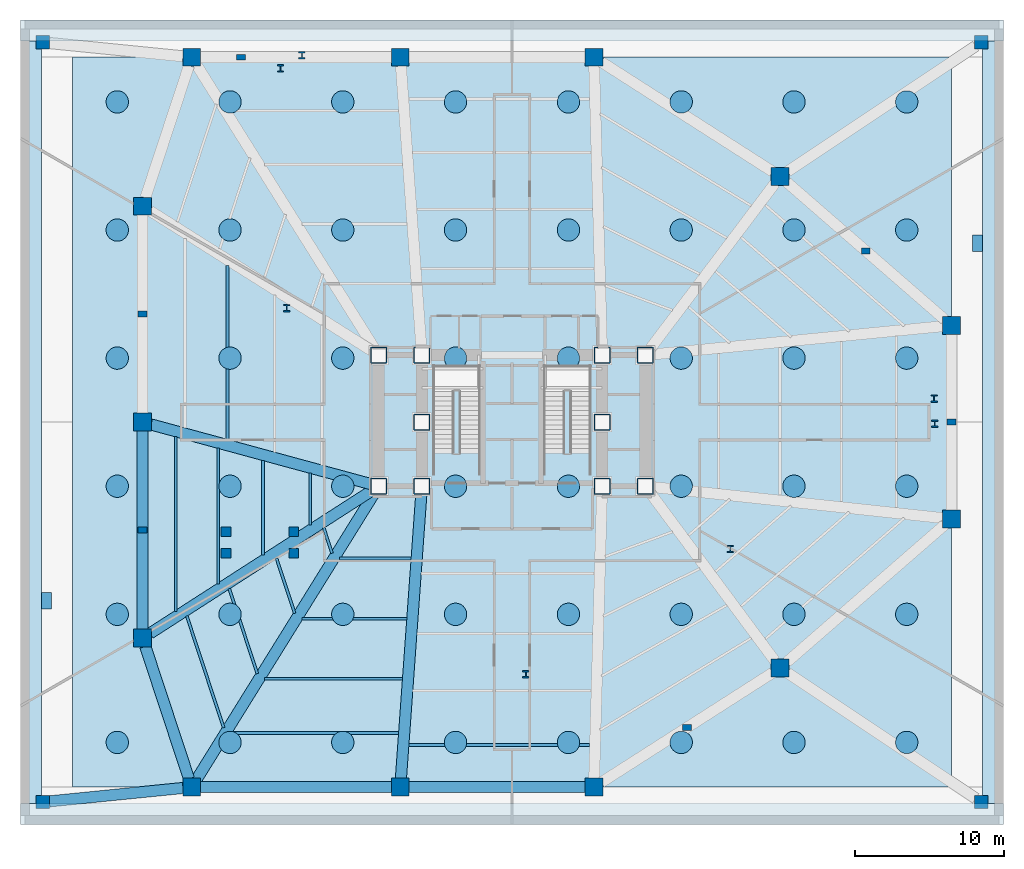
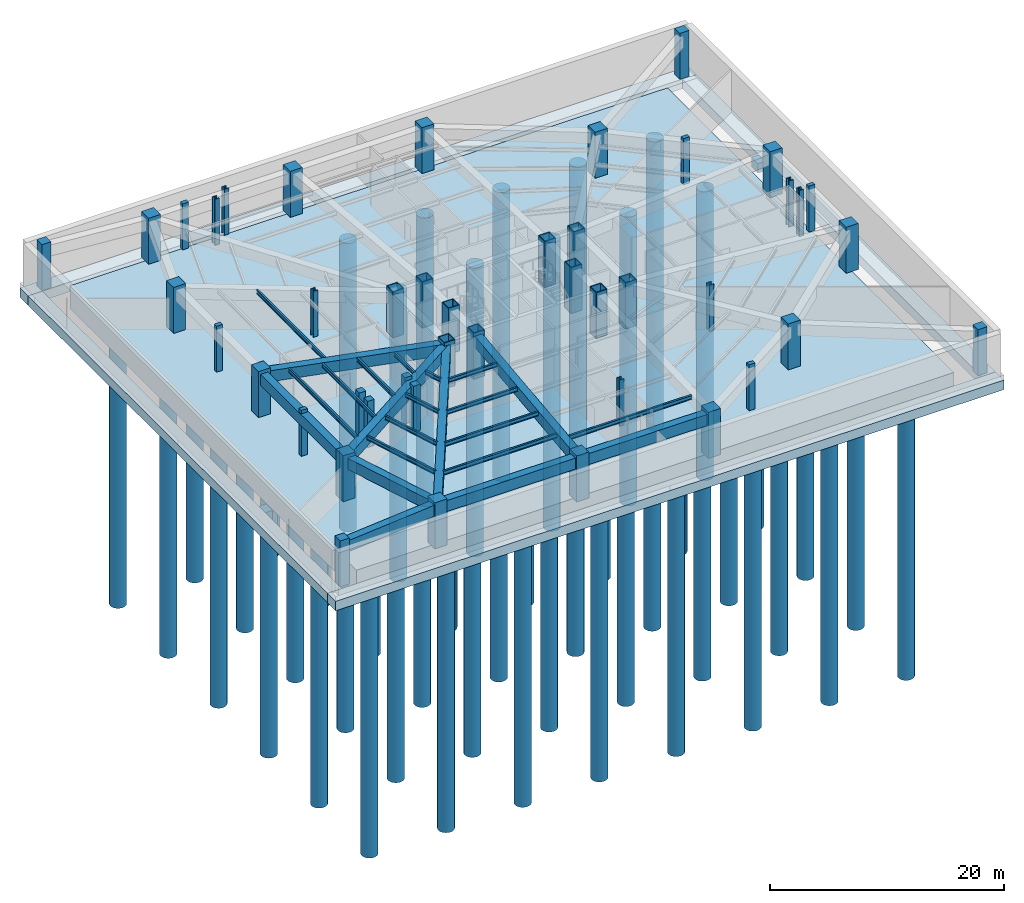
# One storey, part 1 of 7: 48 piles, 44 columns, 23 beams, 7 footings.
"""IFC4 building model written with IfcOpenShell, lengths in metres."""

from ifc_helpers import new_model, si_unit, direction, frame, origin, origin_2d, place, context, subcontext, project, spatial, rectangle, hollow_rectangle, circle, i_section, extrude, material, layer, layer_set, material_profile, profile_set, type_object, element, save


model = new_model("IFC4")

# Units and contexts
model_context = context("Model", 3, precision=1e-05, world=origin(), true_north=direction((0.0, 1.0)))
body_context = subcontext(model_context, "Body", "Model", "MODEL_VIEW")
ifc_project = project(units=[si_unit("LENGTHUNIT", "METRE"), si_unit("AREAUNIT", "SQUARE_METRE"), si_unit("VOLUMEUNIT", "CUBIC_METRE"), si_unit("PLANEANGLEUNIT", "RADIAN"), si_unit("MASSUNIT", "GRAM", prefix="KILO")], contexts=[model_context])

# Site, building, storey
site_placement = place(None, origin())
site = spatial("IfcSite", under=ifc_project, at=site_placement, CompositionType="ELEMENT")
building_placement = place(site_placement, origin())
building = spatial("IfcBuilding", under=site, at=building_placement, Name="Rocaltana Carrier Exchange", CompositionType="ELEMENT")
storey_placement = place(building_placement, frame((0.0, 0.0, -9.60009765625)))
storey = spatial("IfcBuildingStorey", under=building, at=storey_placement, Name="Lower Basement", CompositionType="ELEMENT", Elevation=-9.60009765625)

# Piles
ifc_material_1 = material(Name="Concrete C50/60", Category="concrete")
ifc_material_profile_1 = material_profile(ifc_material_1, circle(Radius=0.75, at=origin_2d()), Name="PILE-D1500")
ifc_profile_set_1 = profile_set([ifc_material_profile_1], Name="Concrete C50/60")
pile_type = type_object("IfcPileType", Name="Bored Concrete Pile D1500", PredefinedType="BORED", material=ifc_profile_set_1)
for number, where, z_axis, x_axis, name in (
    (1, (-26.5, -21.5, -2.25), (0.0, 0.0, -1.0), (1.0, 0.0, 0.0), "Bored Concrete Pile P-01"),
    (2, (-26.5, -12.89990234375, -2.25), (0.0, 0.0, -1.0), (1.0, 0.0, 0.0), "Bored Concrete Pile P-02"),
    (3, (-26.5, -4.300048828125, -2.25), (0.0, 0.0, -1.0), (1.0, 0.0, 0.0), "Bored Concrete Pile P-03"),
    (4, (-26.5, 4.300048828125, -2.25), (0.0, 0.0, -1.0), (1.0, 0.0, 0.0), "Bored Concrete Pile P-04"),
    (5, (-26.5, 12.89990234375, -2.25), (0.0, 0.0, -1.0), (1.0, 0.0, 0.0), "Bored Concrete Pile P-05"),
    (6, (-26.5, 21.5, -2.25), (0.0, 0.0, -1.0), (1.0, 0.0, 0.0), "Bored Concrete Pile P-06"),
    (7, (-18.929931640625, -21.5, -2.25), (0.0, 0.0, -1.0), (1.0, 0.0, 0.0), "Bored Concrete Pile P-07"),
    (8, (-18.929931640625, -12.89990234375, -2.25), (0.0, 0.0, -1.0), (1.0, 0.0, 0.0), "Bored Concrete Pile P-08"),
    (9, (-18.929931640625, -4.300048828125, -2.25), (0.0, 0.0, -1.0), (1.0, 0.0, 0.0), "Bored Concrete Pile P-09"),
    (10, (-18.929931640625, 4.300048828125, -2.25), (0.0, 0.0, -1.0), (1.0, 0.0, 0.0), "Bored Concrete Pile P-10"),
    (11, (-18.929931640625, 12.89990234375, -2.25), (0.0, 0.0, -1.0), (1.0, 0.0, 0.0), "Bored Concrete Pile P-11"),
    (12, (-18.929931640625, 21.5, -2.25), (0.0, 0.0, -1.0), (1.0, 0.0, 0.0), "Bored Concrete Pile P-12"),
    (13, (-11.360107421875, -21.5, -2.25), (0.0, 0.0, -1.0), (1.0, 0.0, 0.0), "Bored Concrete Pile P-13"),
    (14, (-11.360107421875, -12.89990234375, -2.25), (0.0, 0.0, -1.0), (1.0, 0.0, 0.0), "Bored Concrete Pile P-14"),
    (15, (-11.360107421875, -4.300048828125, -2.25), (0.0, 0.0, -1.0), (1.0, 0.0, 0.0), "Bored Concrete Pile P-15"),
    (16, (-11.360107421875, 4.300048828125, -2.25), (0.0, 0.0, -1.0), (1.0, 0.0, 0.0), "Bored Concrete Pile P-16"),
    (17, (-11.360107421875, 12.89990234375, -2.25), (0.0, 0.0, -1.0), (1.0, 0.0, 0.0), "Bored Concrete Pile P-17"),
    (18, (-11.360107421875, 21.5, -2.25), (0.0, 0.0, -1.0), (1.0, 0.0, 0.0), "Bored Concrete Pile P-18"),
    (19, (-3.7900390625, -21.5, -2.25), (0.0, 0.0, -1.0), (1.0, 0.0, 0.0), "Bored Concrete Pile P-19"),
    (20, (-3.7900390625, -12.89990234375, -2.25), (0.0, 0.0, -1.0), (1.0, 0.0, 0.0), "Bored Concrete Pile P-20"),
    (21, (-3.7900390625, -4.300048828125, -2.25), (0.0, 0.0, -1.0), (1.0, 0.0, 0.0), "Bored Concrete Pile P-21"),
    (22, (-3.7900390625, 4.300048828125, -2.25), (0.0, 0.0, -1.0), (1.0, 0.0, 0.0), "Bored Concrete Pile P-22"),
    (23, (-3.7900390625, 12.89990234375, -2.25), (0.0, 0.0, -1.0), (1.0, 0.0, 0.0), "Bored Concrete Pile P-23"),
    (24, (-3.7900390625, 21.5, -2.25), (0.0, 0.0, -1.0), (1.0, 0.0, 0.0), "Bored Concrete Pile P-24"),
    (25, (3.7900390625, -21.5, -2.25), (0.0, 0.0, -1.0), (1.0, 0.0, 0.0), "Bored Concrete Pile P-25"),
    (26, (3.7900390625, -12.89990234375, -2.25), (0.0, 0.0, -1.0), (1.0, 0.0, 0.0), "Bored Concrete Pile P-26"),
    (27, (3.7900390625, -4.300048828125, -2.25), (0.0, 0.0, -1.0), (1.0, 0.0, 0.0), "Bored Concrete Pile P-27"),
    (28, (3.7900390625, 4.300048828125, -2.25), (0.0, 0.0, -1.0), (1.0, 0.0, 0.0), "Bored Concrete Pile P-28"),
    (29, (3.7900390625, 12.89990234375, -2.25), (0.0, 0.0, -1.0), (1.0, 0.0, 0.0), "Bored Concrete Pile P-29"),
    (30, (3.7900390625, 21.5, -2.25), (0.0, 0.0, -1.0), (1.0, 0.0, 0.0), "Bored Concrete Pile P-30"),
    (31, (11.360107421875, -21.5, -2.25), (0.0, 0.0, -1.0), (1.0, 0.0, 0.0), "Bored Concrete Pile P-31"),
    (32, (11.360107421875, -12.89990234375, -2.25), (0.0, 0.0, -1.0), (1.0, 0.0, 0.0), "Bored Concrete Pile P-32"),
    (33, (11.360107421875, -4.300048828125, -2.25), (0.0, 0.0, -1.0), (1.0, 0.0, 0.0), "Bored Concrete Pile P-33"),
    (34, (11.360107421875, 4.300048828125, -2.25), (0.0, 0.0, -1.0), (1.0, 0.0, 0.0), "Bored Concrete Pile P-34"),
    (35, (11.360107421875, 12.89990234375, -2.25), (0.0, 0.0, -1.0), (1.0, 0.0, 0.0), "Bored Concrete Pile P-35"),
    (36, (11.360107421875, 21.5, -2.25), (0.0, 0.0, -1.0), (1.0, 0.0, 0.0), "Bored Concrete Pile P-36"),
    (37, (18.929931640625, -21.5, -2.25), (0.0, 0.0, -1.0), (1.0, 0.0, 0.0), "Bored Concrete Pile P-37"),
    (38, (18.929931640625, -12.89990234375, -2.25), (0.0, 0.0, -1.0), (1.0, 0.0, 0.0), "Bored Concrete Pile P-38"),
    (39, (18.929931640625, -4.300048828125, -2.25), (0.0, 0.0, -1.0), (1.0, 0.0, 0.0), "Bored Concrete Pile P-39"),
    (40, (18.929931640625, 4.300048828125, -2.25), (0.0, 0.0, -1.0), (1.0, 0.0, 0.0), "Bored Concrete Pile P-40"),
    (41, (18.929931640625, 12.89990234375, -2.25), (0.0, 0.0, -1.0), (1.0, 0.0, 0.0), "Bored Concrete Pile P-41"),
    (42, (18.929931640625, 21.5, -2.25), (0.0, 0.0, -1.0), (1.0, 0.0, 0.0), "Bored Concrete Pile P-42"),
    (43, (26.5, -21.5, -2.25), (0.0, 0.0, -1.0), (1.0, 0.0, 0.0), "Bored Concrete Pile P-43"),
    (44, (26.5, -12.89990234375, -2.25), (0.0, 0.0, -1.0), (1.0, 0.0, 0.0), "Bored Concrete Pile P-44"),
    (45, (26.5, -4.300048828125, -2.25), (0.0, 0.0, -1.0), (1.0, 0.0, 0.0), "Bored Concrete Pile P-45"),
    (46, (26.5, 4.300048828125, -2.25), (0.0, 0.0, -1.0), (1.0, 0.0, 0.0), "Bored Concrete Pile P-46"),
    (47, (26.5, 12.89990234375, -2.25), (0.0, 0.0, -1.0), (1.0, 0.0, 0.0), "Bored Concrete Pile P-47"),
    (48, (26.5, 21.5, -2.25), (0.0, 0.0, -1.0), (1.0, 0.0, 0.0), "Bored Concrete Pile P-48"),
):
    element("IfcPile", number, at=place(storey_placement, frame(where, z_axis=z_axis, x_axis=x_axis)), inside=storey, type_object=pile_type, Name=name, PredefinedType="BORED", context=body_context, shape_type="SweptSolid", body=[
        extrude(circle(Radius=0.75, at=origin_2d()), origin(), (0.0, 0.0, 1.0), 30.14990234375),
    ])

# Footings
ifc_material_2 = material(Name="Concrete C50/60", Category="concrete")
footing_type_1 = type_object("IfcFootingType", Name="Internal Strip Footing 1100x1000", PredefinedType="STRIP_FOOTING", material=ifc_material_2)
for number, where, z_axis, x_axis, name in (
    (49, (-31.25, -12.0, -1.5), (0.0, 0.0, 1.0), (1.0, 0.0, 0.0), "FT-SF-M1"),
    (50, (31.25, 12.0, -1.5), (0.0, 0.0, 1.0), (1.0, 0.0, 0.0), "FT-SF-M2"),
):
    element("IfcFooting", number, at=place(storey_placement, frame(where, z_axis=z_axis, x_axis=x_axis)), inside=storey, type_object=footing_type_1, Name=name, PredefinedType="STRIP_FOOTING", context=body_context, shape_type="SweptSolid", body=[
        extrude(rectangle(XDim=0.699951171875, YDim=1.10009765625, at=origin_2d()), origin(), (0.0, 0.0, 1.0), 1.0),
    ])
ifc_material_3 = material(Name="Concrete C50/60", Category="concrete")
footing_type_2 = type_object("IfcFootingType", Name="Perimeter Strip Footing 1400x1000", PredefinedType="STRIP_FOOTING", material=ifc_material_3)
for number, where, z_axis, x_axis, name in (
    (51, (0.0, -26.300048828125, -1.5), (0.0, 0.0, 1.0), (1.0, 0.0, 0.0), "FT-SF-S"),
    (52, (0.0, 26.300048828125, -1.5), (0.0, 0.0, 1.0), (1.0, 0.0, 0.0), "FT-SF-N"),
):
    element("IfcFooting", number, at=place(storey_placement, frame(where, z_axis=z_axis, x_axis=x_axis)), inside=storey, type_object=footing_type_2, Name=name, PredefinedType="STRIP_FOOTING", context=body_context, shape_type="SweptSolid", body=[
        extrude(rectangle(XDim=66.0, YDim=1.39990234375, at=origin_2d()), origin(), (0.0, 0.0, 1.0), 1.0),
    ])
for number, where, z_axis, x_axis, name in (
    (53, (-32.300048828125, 0.0, -1.5), (0.0, 0.0, 1.0), (1.0, 0.0, 0.0), "FT-SF-W"),
    (54, (32.300048828125, 0.0, -1.5), (0.0, 0.0, 1.0), (1.0, 0.0, 0.0), "FT-SF-E"),
):
    element("IfcFooting", number, at=place(storey_placement, frame(where, z_axis=z_axis, x_axis=x_axis)), inside=storey, type_object=footing_type_2, Name=name, PredefinedType="STRIP_FOOTING", context=body_context, shape_type="SweptSolid", body=[
        extrude(rectangle(XDim=1.39990234375, YDim=51.199951171875, at=origin_2d()), origin(), (0.0, 0.0, 1.0), 1.0),
    ])
ifc_material_4 = material(Name="Concrete C50/60", Category="concrete")
ifc_layer = layer(ifc_material_4, 2.39990234375)
ifc_layer_set = layer_set([ifc_layer], Name="Concrete C50/60")
footing_type_3 = type_object("IfcFootingType", Name="Piled Foundation Raft 2400", PredefinedType="PILE_CAP", material=ifc_layer_set)
footing_placement = place(storey_placement, frame((0.0, 0.0, -2.39990234375), z_axis=(0.0, 0.0, 1.0), x_axis=(1.0, 0.0, 0.0)))
element("IfcFooting", 55, at=footing_placement, inside=storey, type_object=footing_type_3, Name="Central Piled Foundation Raft FT-RAFT", PredefinedType="PILE_CAP", context=body_context, shape_type="SweptSolid", body=[
    extrude(rectangle(XDim=59.0, YDim=49.0, at=origin_2d()), origin(), (0.0, 0.0, 1.0), 2.39990234375),
])

# Columns
ifc_material_5 = material(Name="Concrete C50/60", Category="concrete")
ifc_material_profile_2 = material_profile(ifc_material_5, rectangle(XDim=0.89990234375, YDim=0.89990234375, at=origin_2d()), Name="RC-COL-900X900")
ifc_profile_set_2 = profile_set([ifc_material_profile_2], Name="Concrete C50/60")
column_type_1 = type_object("IfcColumnType", Name="Basement RC Column 900", PredefinedType="COLUMN", material=ifc_profile_set_2)
for number, where, z_axis, x_axis, name in (
    (56, (-31.5, -25.5, 0.0), (0.0, 0.0, 1.0), (1.0, 0.0, 0.0), "Lower Basement Basement Column BC01"),
    (57, (31.5, -25.5, 0.0), (0.0, 0.0, 1.0), (1.0, 0.0, 0.0), "Lower Basement Basement Column BC02"),
    (58, (31.5, 25.5, 0.0), (0.0, 0.0, 1.0), (1.0, 0.0, 0.0), "Lower Basement Basement Column BC03"),
    (59, (-31.5, 25.5, 0.0), (0.0, 0.0, 1.0), (1.0, 0.0, 0.0), "Lower Basement Basement Column BC04"),
):
    element("IfcColumn", number, at=place(storey_placement, frame(where, z_axis=z_axis, x_axis=x_axis)), inside=storey, type_object=column_type_1, Name=name, PredefinedType="COLUMN", context=body_context, shape_type="SweptSolid", body=[
        extrude(rectangle(XDim=0.89990234375, YDim=0.89990234375, at=origin_2d()), origin(), (0.0, 0.0, 1.0), 4.800048828125),
    ])
ifc_material_6 = material(Name="Concrete C60/75", Category="concrete")
ifc_material_profile_3 = material_profile(ifc_material_6, rectangle(XDim=0.60009765625, YDim=0.39990234375, at=origin_2d()), Name="RC-PIL-600X400")
ifc_profile_set_3 = profile_set([ifc_material_profile_3], Name="Concrete C60/75")
column_type_2 = type_object("IfcColumnType", Name="Concourse Boundary Pilaster 600x400", PredefinedType="PILASTER", material=ifc_profile_set_3)
for number, where, z_axis, x_axis, name in (
    (60, (11.75, -20.5, 0.0), (0.0, 0.0, 1.0), (1.0, 0.0, 0.0), "Lower Basement Concourse Pilaster PL01"),
    (61, (29.5, 0.0, 0.0), (0.0, 0.0, 1.0), (1.0, 0.0, 0.0), "Lower Basement Concourse Pilaster PL02"),
    (62, (-18.199951171875, 24.5, 0.0), (0.0, 0.0, 1.0), (1.0, 0.0, 0.0), "Lower Basement Concourse Pilaster PL03"),
    (63, (23.75, 11.5, 0.0), (0.0, 0.0, 1.0), (1.0, 0.0, 0.0), "Lower Basement Concourse Pilaster PL04"),
    (64, (-24.800048828125, 7.25, 0.0), (0.0, 0.0, 1.0), (1.0, 0.0, 0.0), "Lower Basement Concourse Pilaster PL05"),
    (65, (-24.800048828125, -7.25, 0.0), (0.0, 0.0, 1.0), (1.0, 0.0, 0.0), "Lower Basement Concourse Pilaster PL06"),
):
    element("IfcColumn", number, at=place(storey_placement, frame(where, z_axis=z_axis, x_axis=x_axis)), inside=storey, type_object=column_type_2, Name=name, PredefinedType="PILASTER", context=body_context, shape_type="SweptSolid", body=[
        extrude(rectangle(XDim=0.60009765625, YDim=0.39990234375, at=origin_2d()), origin(), (0.0, 0.0, 1.0), 4.800048828125),
    ])
ifc_material_7 = material(Name="Steel S460", Category="steel")
ifc_material_profile_4 = material_profile(ifc_material_7, hollow_rectangle(XDim=1.10009765625, YDim=1.10009765625, WallThickness=0.070068359375, InnerFilletRadius=0.02001953125, OuterFilletRadius=0.0400390625, at=origin_2d()), Name="BOX1100X1100X70")
ifc_profile_set_4 = profile_set([ifc_material_profile_4], Name="Steel S460")
column_type_3 = type_object("IfcColumnType", Name="Core Mega-Column BOX1100", PredefinedType="COLUMN", material=ifc_profile_set_4)
for number, where, z_axis, x_axis, name in (
    (66, (-6.050048828125, 4.5, 0.0), (0.0, 0.0, 1.0), (1.0, 0.0, 0.0), "Lower Basement Core Mega-Column MC1"),
    (67, (6.050048828125, 4.5, 0.0), (0.0, 0.0, 1.0), (1.0, 0.0, 0.0), "Lower Basement Core Mega-Column MC2"),
    (68, (-6.050048828125, 0.0, 0.0), (0.0, 0.0, 1.0), (1.0, 0.0, 0.0), "Lower Basement Core Mega-Column MC3"),
    (69, (6.050048828125, 0.0, 0.0), (0.0, 0.0, 1.0), (1.0, 0.0, 0.0), "Lower Basement Core Mega-Column MC4"),
    (70, (-6.050048828125, -4.300048828125, 0.0), (0.0, 0.0, 1.0), (1.0, 0.0, 0.0), "Lower Basement Core Mega-Column MC5"),
    (71, (6.050048828125, -4.300048828125, 0.0), (0.0, 0.0, 1.0), (1.0, 0.0, 0.0), "Lower Basement Core Mega-Column MC6"),
    (72, (-8.949951171875, 4.5, 0.0), (0.0, 0.0, 1.0), (1.0, 0.0, 0.0), "Lower Basement West Core Column WC1"),
    (73, (-8.949951171875, -4.300048828125, 0.0), (0.0, 0.0, 1.0), (1.0, 0.0, 0.0), "Lower Basement West Core Column WC2"),
    (74, (8.949951171875, 4.5, 0.0), (0.0, 0.0, 1.0), (1.0, 0.0, 0.0), "Lower Basement East Core Column EC1"),
    (75, (8.949951171875, -4.300048828125, 0.0), (0.0, 0.0, 1.0), (1.0, 0.0, 0.0), "Lower Basement East Core Column EC2"),
):
    element("IfcColumn", number, at=place(storey_placement, frame(where, z_axis=z_axis, x_axis=x_axis)), inside=storey, type_object=column_type_3, Name=name, PredefinedType="COLUMN", context=body_context, shape_type="SweptSolid", body=[
        extrude(hollow_rectangle(XDim=1.10009765625, YDim=1.10009765625, WallThickness=0.070068359375, InnerFilletRadius=0.02001953125, OuterFilletRadius=0.0400390625, at=origin_2d()), origin(), (0.0, 0.0, 1.0), 4.800048828125),
    ])
ifc_material_8 = material(Name="Steel S460", Category="steel")
ifc_material_profile_5 = material_profile(ifc_material_8, i_section(OverallWidth=0.431884765625, OverallDepth=0.498046875, WebThickness=0.0556640625, FlangeThickness=0.0888671875, FilletRadius=0.02490234375, at=origin_2d()), Name="W14X500")
ifc_profile_set_5 = profile_set([ifc_material_profile_5], Name="Steel S460")
column_type_4 = type_object("IfcColumnType", Name="Perimeter Column W14X500", PredefinedType="COLUMN", material=ifc_profile_set_5)
for number, where, z_axis, x_axis, name in (
    (76, (28.340576171875, 1.5849609375, 0.0), (0.0, 0.0, 1.0), (1.0, 0.0, 0.0), "Lower Basement Podium Tower Mega-Column PT01"),
    (77, (-14.106201171875, 24.631591796875, 0.0), (0.0, 0.0, 1.0), (1.0, 0.0, 0.0), "Lower Basement Podium Tower Mega-Column PT04"),
    (78, (-15.54296875, 23.751220703125, 0.0), (0.0, 0.0, 1.0), (1.0, 0.0, 0.0), "Lower Basement Podium Tower Mega-Column PT05"),
    (79, (-15.121337890625, 7.65673828125, 0.0), (0.0, 0.0, 1.0), (1.0, 0.0, 0.0), "Lower Basement Podium Tower Mega-Column PT06"),
    (80, (0.9296875, -16.923828125, 0.0), (0.0, 0.0, 1.0), (1.0, 0.0, 0.0), "Lower Basement Podium Tower Mega-Column PT10"),
    (81, (14.6572265625, -8.51171875, 0.0), (0.0, 0.0, 1.0), (1.0, 0.0, 0.0), "Lower Basement Podium Tower Mega-Column PT11"),
    (82, (28.384765625, -0.099609375, 0.0), (0.0, 0.0, 1.0), (1.0, 0.0, 0.0), "Lower Basement Podium Tower Mega-Column PT12"),
):
    element("IfcColumn", number, at=place(storey_placement, frame(where, z_axis=z_axis, x_axis=x_axis)), inside=storey, type_object=column_type_4, Name=name, PredefinedType="COLUMN", context=body_context, shape_type="SweptSolid", body=[
        extrude(i_section(OverallWidth=0.431884765625, OverallDepth=0.498046875, WebThickness=0.0556640625, FlangeThickness=0.0888671875, FilletRadius=0.02490234375, at=origin_2d()), origin(), (0.0, 0.0, 1.0), 4.800048828125),
    ])
ifc_material_9 = material(Name="Concrete C60/75", Category="concrete")
ifc_material_profile_6 = material_profile(ifc_material_9, rectangle(XDim=1.199951171875, YDim=1.199951171875, at=origin_2d()), Name="RC-COL-1200X1200")
ifc_profile_set_6 = profile_set([ifc_material_profile_6], Name="Concrete C60/75")
column_type_5 = type_object("IfcColumnType", Name="Podium RC Column 1200", PredefinedType="COLUMN", material=ifc_profile_set_6)
for number, where, z_axis, x_axis, name in (
    (83, (-21.5, -24.5, 0.0), (0.0, 0.0, 1.0), (1.0, 0.0, 0.0), "Lower Basement Podium Mega-Column PC01"),
    (84, (-7.5, -24.5, 0.0), (0.0, 0.0, 1.0), (1.0, 0.0, 0.0), "Lower Basement Podium Mega-Column PC02"),
    (85, (5.5, -24.5, 0.0), (0.0, 0.0, 1.0), (1.0, 0.0, 0.0), "Lower Basement Podium Mega-Column PC03"),
    (86, (18.0, -16.5, 0.0), (0.0, 0.0, 1.0), (1.0, 0.0, 0.0), "Lower Basement Podium Mega-Column PC04"),
    (87, (29.5, -6.5, 0.0), (0.0, 0.0, 1.0), (1.0, 0.0, 0.0), "Lower Basement Podium Mega-Column PC05"),
    (88, (29.5, 6.5, 0.0), (0.0, 0.0, 1.0), (1.0, 0.0, 0.0), "Lower Basement Podium Mega-Column PC06"),
    (89, (18.0, 16.5, 0.0), (0.0, 0.0, 1.0), (1.0, 0.0, 0.0), "Lower Basement Podium Mega-Column PC07"),
    (90, (5.5, 24.5, 0.0), (0.0, 0.0, 1.0), (1.0, 0.0, 0.0), "Lower Basement Podium Mega-Column PC08"),
    (91, (-7.5, 24.5, 0.0), (0.0, 0.0, 1.0), (1.0, 0.0, 0.0), "Lower Basement Podium Mega-Column PC09"),
    (92, (-21.5, 24.5, 0.0), (0.0, 0.0, 1.0), (1.0, 0.0, 0.0), "Lower Basement Podium Mega-Column PC10"),
    (93, (-24.800048828125, 14.5, 0.0), (0.0, 0.0, 1.0), (1.0, 0.0, 0.0), "Lower Basement Podium Mega-Column PC11"),
    (94, (-24.800048828125, 0.0, 0.0), (0.0, 0.0, 1.0), (1.0, 0.0, 0.0), "Lower Basement Podium Mega-Column PC13"),
    (95, (-24.800048828125, -14.5, 0.0), (0.0, 0.0, 1.0), (1.0, 0.0, 0.0), "Lower Basement Podium Mega-Column PC12"),
):
    element("IfcColumn", number, at=place(storey_placement, frame(where, z_axis=z_axis, x_axis=x_axis)), inside=storey, type_object=column_type_5, Name=name, PredefinedType="COLUMN", context=body_context, shape_type="SweptSolid", body=[
        extrude(rectangle(XDim=1.199951171875, YDim=1.199951171875, at=origin_2d()), origin(), (0.0, 0.0, 1.0), 4.800048828125),
    ])
ifc_material_10 = material(Name="Concrete C50/60", Category="concrete")
ifc_material_profile_7 = material_profile(ifc_material_10, rectangle(XDim=0.64990234375, YDim=0.64990234375, at=origin_2d()), Name="RC-COL-650X650")
ifc_profile_set_7 = profile_set([ifc_material_profile_7], Name="Concrete C50/60")
column_type_6 = type_object("IfcColumnType", Name="Stair Shaft RC Column 650", PredefinedType="COLUMN", material=ifc_profile_set_7)
for number, where, z_axis, x_axis, name in (
    (96, (-19.199951171875, -8.800048828125, 0.0), (0.0, 0.0, 1.0), (1.0, 0.0, 0.0), "Lower Basement Stair Shaft Column SC3A"),
    (97, (-14.64990234375, -8.800048828125, 0.0), (0.0, 0.0, 1.0), (1.0, 0.0, 0.0), "Lower Basement Stair Shaft Column SC3B"),
    (98, (-19.199951171875, -7.35009765625, 0.0), (0.0, 0.0, 1.0), (1.0, 0.0, 0.0), "Lower Basement Stair Shaft Column SC3C"),
    (99, (-14.64990234375, -7.35009765625, 0.0), (0.0, 0.0, 1.0), (1.0, 0.0, 0.0), "Lower Basement Stair Shaft Column SC3D"),
):
    element("IfcColumn", number, at=place(storey_placement, frame(where, z_axis=z_axis, x_axis=x_axis)), inside=storey, type_object=column_type_6, Name=name, PredefinedType="COLUMN", context=body_context, shape_type="SweptSolid", body=[
        extrude(rectangle(XDim=0.64990234375, YDim=0.64990234375, at=origin_2d()), origin(), (0.0, 0.0, 1.0), 4.800048828125),
    ])

# Beams
ifc_material_11 = material(Name="Concrete C50/60", Category="concrete")
ifc_material_profile_8 = material_profile(ifc_material_11, rectangle(XDim=0.75, YDim=1.14990234375, at=origin_2d()), Name="RC-BM-750X1150")
ifc_profile_set_8 = profile_set([ifc_material_profile_8], Name="Concrete C50/60")
beam_type_1 = type_object("IfcBeamType", Name="Basement RC Girder 750x1150", PredefinedType="BEAM", material=ifc_profile_set_8)
beam_1_placement = place(storey_placement, frame((-20.907958984375, -24.5, 3.873046875), z_axis=(1.0, 0.0, 0.0), x_axis=(0.0, 1.0, 0.0)))
element("IfcBeam", 100, at=beam_1_placement, inside=storey, type_object=beam_type_1, Name="BM-PODR-01-Lower_Basement", PredefinedType="BEAM", context=body_context, shape_type="SweptSolid", body=[
    extrude(rectangle(XDim=0.75, YDim=1.14990234375, at=origin_2d()), origin(), (0.0, 0.0, 1.0), 12.81591796875),
])
beam_2_placement = place(storey_placement, frame((-6.907958984375, -24.5, 3.873046875), z_axis=(1.0, 0.0, 0.0), x_axis=(0.0, 1.0, 0.0)))
element("IfcBeam", 101, at=beam_2_placement, inside=storey, type_object=beam_type_1, Name="BM-PODR-02-Lower_Basement", PredefinedType="BEAM", context=body_context, shape_type="SweptSolid", body=[
    extrude(rectangle(XDim=0.75, YDim=1.14990234375, at=origin_2d()), origin(), (0.0, 0.0, 1.0), 11.81591796875),
])
beam_3_placement = place(storey_placement, frame((-24.800048828125, -0.592041015625, 3.873046875), z_axis=(0.0, -1.0, 0.0), x_axis=(1.0, 0.0, 0.0)))
element("IfcBeam", 102, at=beam_3_placement, inside=storey, type_object=beam_type_1, Name="BM-PODR-12-Lower_Basement", PredefinedType="BEAM", context=body_context, shape_type="SweptSolid", body=[
    extrude(rectangle(XDim=0.75, YDim=1.14990234375, at=origin_2d()), origin(), (0.0, 0.0, 1.0), 13.31591796875),
])
beam_4_placement = place(storey_placement, frame((-24.614501953125, -15.062255859375, 3.873046875), z_axis=(0.313381694349, -0.949627249844, 0.0), x_axis=(0.949627249844, 0.313381694349, 0.0)))
element("IfcBeam", 103, at=beam_4_placement, inside=storey, type_object=beam_type_1, Name="BM-PODR-13-Lower_Basement", PredefinedType="BEAM", context=body_context, shape_type="SweptSolid", body=[
    extrude(rectangle(XDim=0.75, YDim=1.14990234375, at=origin_2d()), origin(), (0.0, 0.0, 1.0), 9.34619140625),
])
beam_5_placement = place(storey_placement, frame((-9.236083984375, -4.760498046875, 3.873046875), z_axis=(-0.527728575454, -0.849413062443, 0.0), x_axis=(0.849413062443, -0.527728575454, 0.0)))
element("IfcBeam", 104, at=beam_5_placement, inside=storey, type_object=beam_type_1, Name="BM-PODG-01-Lower_Basement", PredefinedType="BEAM", context=body_context, shape_type="SweptSolid", body=[
    extrude(rectangle(XDim=0.75, YDim=1.14990234375, at=origin_2d()), origin(), (0.0, 0.0, 1.0), 22.64697265625),
])
beam_6_placement = place(storey_placement, frame((-6.0888671875, -4.840576171875, 3.873046875), z_axis=(-0.071590092628, -0.997434137494, 0.0), x_axis=(0.997434137494, -0.071590092628, 0.0)))
element("IfcBeam", 105, at=beam_6_placement, inside=storey, type_object=beam_type_1, Name="BM-PODG-02-Lower_Basement", PredefinedType="BEAM", context=body_context, shape_type="SweptSolid", body=[
    extrude(rectangle(XDim=0.75, YDim=1.14990234375, at=origin_2d()), origin(), (0.0, 0.0, 1.0), 19.117919921875),
])
beam_7_placement = place(storey_placement, frame((-9.47314453125, -4.158203125, 3.873046875), z_axis=(-0.965113043387, 0.261833560655, 0.0), x_axis=(-0.261833560655, -0.965113043387, 0.0)))
element("IfcBeam", 106, at=beam_7_placement, inside=storey, type_object=beam_type_1, Name="BM-PODG-12-Lower_Basement", PredefinedType="BEAM", context=body_context, shape_type="SweptSolid", body=[
    extrude(rectangle(XDim=0.75, YDim=1.14990234375, at=origin_2d()), origin(), (0.0, 0.0, 1.0), 15.2890625),
])
beam_8_placement = place(storey_placement, frame((-9.40576171875, -4.59326171875, 3.873046875), z_axis=(-0.840918660991, -0.541161533737, 0.0), x_axis=(0.541161533737, -0.840918660991, 0.0)))
element("IfcBeam", 107, at=beam_8_placement, inside=storey, type_object=beam_type_1, Name="BM-PODG-13-Lower_Basement", PredefinedType="BEAM", context=body_context, shape_type="SweptSolid", body=[
    extrude(rectangle(XDim=0.75, YDim=1.14990234375, at=origin_2d()), origin(), (0.0, 0.0, 1.0), 17.714599609375),
])
beam_9_placement = place(storey_placement, frame((-22.089111328125, -24.558837890625, 3.873046875), z_axis=(-0.995036117726, -0.099514443277, 0.0), x_axis=(0.099514443277, -0.995036117726, 0.0)))
element("IfcBeam", 108, at=beam_9_placement, inside=storey, type_object=beam_type_1, Name="BM-BSUB-1-Lower_Basement", PredefinedType="BEAM", context=body_context, shape_type="SweptSolid", body=[
    extrude(rectangle(XDim=0.75, YDim=1.14990234375, at=origin_2d()), origin(), (0.0, 0.0, 1.0), 9.015869140625),
])
ifc_material_12 = material(Name="Steel S355", Category="steel")
ifc_material_profile_9 = material_profile(ifc_material_12, i_section(OverallWidth=0.179931640625, OverallDepth=0.4130859375, WebThickness=0.009765625, FlangeThickness=0.01611328125, FilletRadius=0.012939453125, at=origin_2d()), Name="W16X50")
ifc_profile_set_9 = profile_set([ifc_material_profile_9], Name="Steel S355")
beam_type_2 = type_object("IfcBeamType", Name="Floor Joist W16X50", PredefinedType="JOIST", material=ifc_profile_set_9)
beam_10_placement = place(storey_placement, frame((-11.593017578125, -9.14794921875, 4.24169921875), z_axis=(1.0, 0.0, 0.0), x_axis=(0.0, 1.0, 0.0)))
element("IfcBeam", 109, at=beam_10_placement, inside=storey, type_object=beam_type_2, Name="FJ-POD-01-1-Lower_Basement", PredefinedType="JOIST", context=body_context, shape_type="SweptSolid", body=[
    extrude(i_section(OverallWidth=0.179931640625, OverallDepth=0.4130859375, WebThickness=0.009765625, FlangeThickness=0.01611328125, FilletRadius=0.012939453125, at=origin_2d()), origin(), (0.0, 0.0, 1.0), 4.825927734375),
])
beam_11_placement = place(storey_placement, frame((-14.10302734375, -13.18798828125, 4.24169921875), z_axis=(1.0, 0.0, 0.0), x_axis=(0.0, 1.0, 0.0)))
element("IfcBeam", 110, at=beam_11_placement, inside=storey, type_object=beam_type_2, Name="FJ-POD-01-2-Lower_Basement", PredefinedType="JOIST", context=body_context, shape_type="SweptSolid", body=[
    extrude(i_section(OverallWidth=0.179931640625, OverallDepth=0.4130859375, WebThickness=0.009765625, FlangeThickness=0.01611328125, FilletRadius=0.012939453125, at=origin_2d()), origin(), (0.0, 0.0, 1.0), 7.046142578125),
])
beam_12_placement = place(storey_placement, frame((-16.613037109375, -17.22802734375, 4.24169921875), z_axis=(1.0, 0.0, 0.0), x_axis=(0.0, 1.0, 0.0)))
element("IfcBeam", 111, at=beam_12_placement, inside=storey, type_object=beam_type_2, Name="FJ-POD-01-3-Lower_Basement", PredefinedType="JOIST", context=body_context, shape_type="SweptSolid", body=[
    extrude(i_section(OverallWidth=0.179931640625, OverallDepth=0.4130859375, WebThickness=0.009765625, FlangeThickness=0.01611328125, FilletRadius=0.012939453125, at=origin_2d()), origin(), (0.0, 0.0, 1.0), 9.26611328125),
])
beam_13_placement = place(storey_placement, frame((-18.8720703125, -20.864013671875, 4.24169921875), z_axis=(1.0, 0.0, 0.0), x_axis=(0.0, 1.0, 0.0)))
element("IfcBeam", 112, at=beam_13_placement, inside=storey, type_object=beam_type_2, Name="FJ-POD-01-4-Lower_Basement", PredefinedType="JOIST", context=body_context, shape_type="SweptSolid", body=[
    extrude(i_section(OverallWidth=0.179931640625, OverallDepth=0.4130859375, WebThickness=0.009765625, FlangeThickness=0.01611328125, FilletRadius=0.012939453125, at=origin_2d()), origin(), (0.0, 0.0, 1.0), 11.26416015625),
])
beam_14_placement = place(storey_placement, frame((-6.927978515625, -21.672119140625, 4.24169921875), z_axis=(1.0, 0.0, 0.0), x_axis=(0.0, 1.0, 0.0)))
element("IfcBeam", 113, at=beam_14_placement, inside=storey, type_object=beam_type_2, Name="FJ-POD-02-4-Lower_Basement", PredefinedType="JOIST", context=body_context, shape_type="SweptSolid", body=[
    extrude(i_section(OverallWidth=0.179931640625, OverallDepth=0.4130859375, WebThickness=0.009765625, FlangeThickness=0.01611328125, FilletRadius=0.012939453125, at=origin_2d()), origin(), (0.0, 0.0, 1.0), 12.135986328125),
])
beam_15_placement = place(storey_placement, frame((-19.093994140625, 10.531005859375, 4.24169921875), z_axis=(0.0, -1.0, 0.0), x_axis=(1.0, 0.0, 0.0)))
element("IfcBeam", 114, at=beam_15_placement, inside=storey, type_object=beam_type_2, Name="FJ-POD-11-3-Lower_Basement", PredefinedType="JOIST", context=body_context, shape_type="SweptSolid", body=[
    extrude(i_section(OverallWidth=0.179931640625, OverallDepth=0.4130859375, WebThickness=0.009765625, FlangeThickness=0.01611328125, FilletRadius=0.012939453125, at=origin_2d()), origin(), (0.0, 0.0, 1.0), 11.7099609375),
])
beam_16_placement = place(storey_placement, frame((-13.54638671875, -3.422119140625, 4.24169921875), z_axis=(0.0, -1.0, 0.0), x_axis=(1.0, 0.0, 0.0)))
element("IfcBeam", 115, at=beam_16_placement, inside=storey, type_object=beam_type_2, Name="FJ-POD-12-1-Lower_Basement", PredefinedType="JOIST", context=body_context, shape_type="SweptSolid", body=[
    extrude(i_section(OverallWidth=0.179931640625, OverallDepth=0.4130859375, WebThickness=0.009765625, FlangeThickness=0.01611328125, FilletRadius=0.012939453125, at=origin_2d()), origin(), (0.0, 0.0, 1.0), 3.466796875),
])
beam_17_placement = place(storey_placement, frame((-16.716552734375, -2.56201171875, 4.24169921875), z_axis=(0.0, -1.0, 0.0), x_axis=(1.0, 0.0, 0.0)))
element("IfcBeam", 116, at=beam_17_placement, inside=storey, type_object=beam_type_2, Name="FJ-POD-12-2-Lower_Basement", PredefinedType="JOIST", context=body_context, shape_type="SweptSolid", body=[
    extrude(i_section(OverallWidth=0.179931640625, OverallDepth=0.4130859375, WebThickness=0.009765625, FlangeThickness=0.01611328125, FilletRadius=0.012939453125, at=origin_2d()), origin(), (0.0, 0.0, 1.0), 6.366943359375),
])
beam_18_placement = place(storey_placement, frame((-19.72802734375, -1.7451171875, 4.24169921875), z_axis=(0.0, -1.0, 0.0), x_axis=(1.0, 0.0, 0.0)))
element("IfcBeam", 117, at=beam_18_placement, inside=storey, type_object=beam_type_2, Name="FJ-POD-12-3-Lower_Basement", PredefinedType="JOIST", context=body_context, shape_type="SweptSolid", body=[
    extrude(i_section(OverallWidth=0.179931640625, OverallDepth=0.4130859375, WebThickness=0.009765625, FlangeThickness=0.01611328125, FilletRadius=0.012939453125, at=origin_2d()), origin(), (0.0, 0.0, 1.0), 9.121826171875),
])
beam_19_placement = place(storey_placement, frame((-22.5810546875, -0.970947265625, 4.24169921875), z_axis=(0.0, -1.0, 0.0), x_axis=(1.0, 0.0, 0.0)))
element("IfcBeam", 118, at=beam_19_placement, inside=storey, type_object=beam_type_2, Name="FJ-POD-12-4-Lower_Basement", PredefinedType="JOIST", context=body_context, shape_type="SweptSolid", body=[
    extrude(i_section(OverallWidth=0.179931640625, OverallDepth=0.4130859375, WebThickness=0.009765625, FlangeThickness=0.01611328125, FilletRadius=0.012939453125, at=origin_2d()), origin(), (0.0, 0.0, 1.0), 11.73193359375),
])
beam_20_placement = place(storey_placement, frame((-12.638427734375, -7.098388671875, 4.24169921875), z_axis=(0.31340206222, -0.949620528104, 0.0), x_axis=(0.949620528104, 0.31340206222, 0.0)))
element("IfcBeam", 119, at=beam_20_placement, inside=storey, type_object=beam_type_2, Name="FJ-POD-13-1-Lower_Basement", PredefinedType="JOIST", context=body_context, shape_type="SweptSolid", body=[
    extrude(i_section(OverallWidth=0.179931640625, OverallDepth=0.4130859375, WebThickness=0.009765625, FlangeThickness=0.01611328125, FilletRadius=0.012939453125, at=origin_2d()), origin(), (0.0, 0.0, 1.0), 1.789306640625),
])
beam_21_placement = place(storey_placement, frame((-15.808349609375, -9.138427734375, 4.24169921875), z_axis=(0.313368411184, -0.949631633252, 0.0), x_axis=(0.949631633252, 0.313368411184, 0.0)))
element("IfcBeam", 120, at=beam_21_placement, inside=storey, type_object=beam_type_2, Name="FJ-POD-13-2-Lower_Basement", PredefinedType="JOIST", context=body_context, shape_type="SweptSolid", body=[
    extrude(i_section(OverallWidth=0.179931640625, OverallDepth=0.4130859375, WebThickness=0.009765625, FlangeThickness=0.01611328125, FilletRadius=0.012939453125, at=origin_2d()), origin(), (0.0, 0.0, 1.0), 3.8955078125),
])
beam_22_placement = place(storey_placement, frame((-18.978515625, -11.178466796875, 4.24169921875), z_axis=(0.313395062746, -0.949622838103, 0.0), x_axis=(0.949622838103, 0.313395062746, 0.0)))
element("IfcBeam", 121, at=beam_22_placement, inside=storey, type_object=beam_type_2, Name="FJ-POD-13-3-Lower_Basement", PredefinedType="JOIST", context=body_context, shape_type="SweptSolid", body=[
    extrude(i_section(OverallWidth=0.179931640625, OverallDepth=0.4130859375, WebThickness=0.009765625, FlangeThickness=0.01611328125, FilletRadius=0.012939453125, at=origin_2d()), origin(), (0.0, 0.0, 1.0), 6.00146484375),
])
beam_23_placement = place(storey_placement, frame((-21.831298828125, -13.014404296875, 4.24169921875), z_axis=(0.31336044765, -0.949634261097, 0.0), x_axis=(0.949634261097, 0.31336044765, 0.0)))
element("IfcBeam", 122, at=beam_23_placement, inside=storey, type_object=beam_type_2, Name="FJ-POD-13-4-Lower_Basement", PredefinedType="JOIST", context=body_context, shape_type="SweptSolid", body=[
    extrude(i_section(OverallWidth=0.179931640625, OverallDepth=0.4130859375, WebThickness=0.009765625, FlangeThickness=0.01611328125, FilletRadius=0.012939453125, at=origin_2d()), origin(), (0.0, 0.0, 1.0), 7.89697265625),
])

save(model, "model.ifc")
